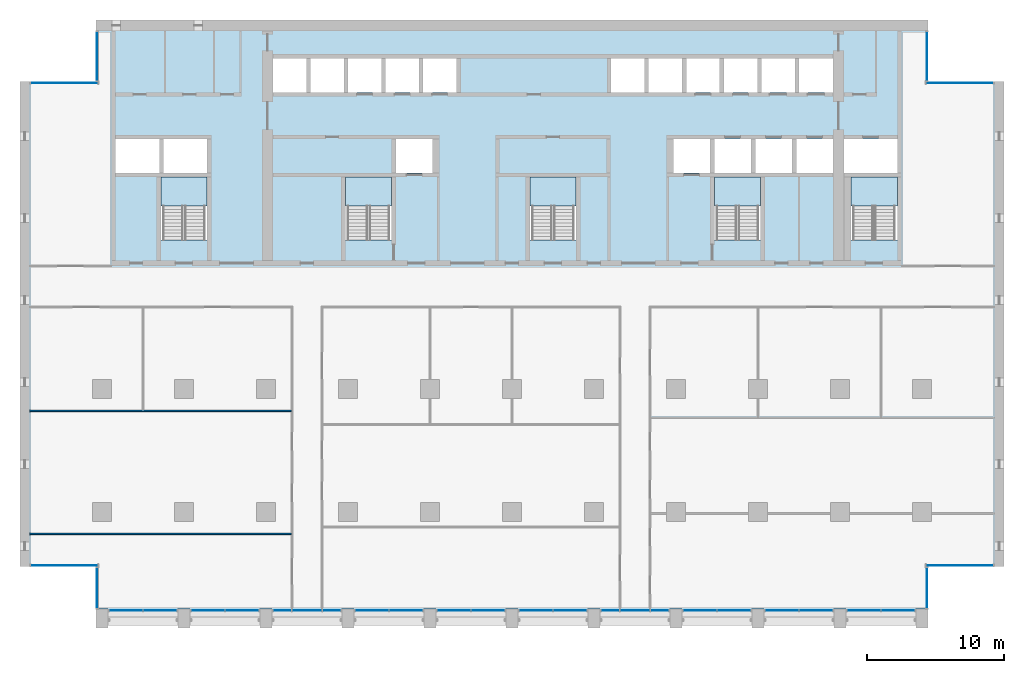
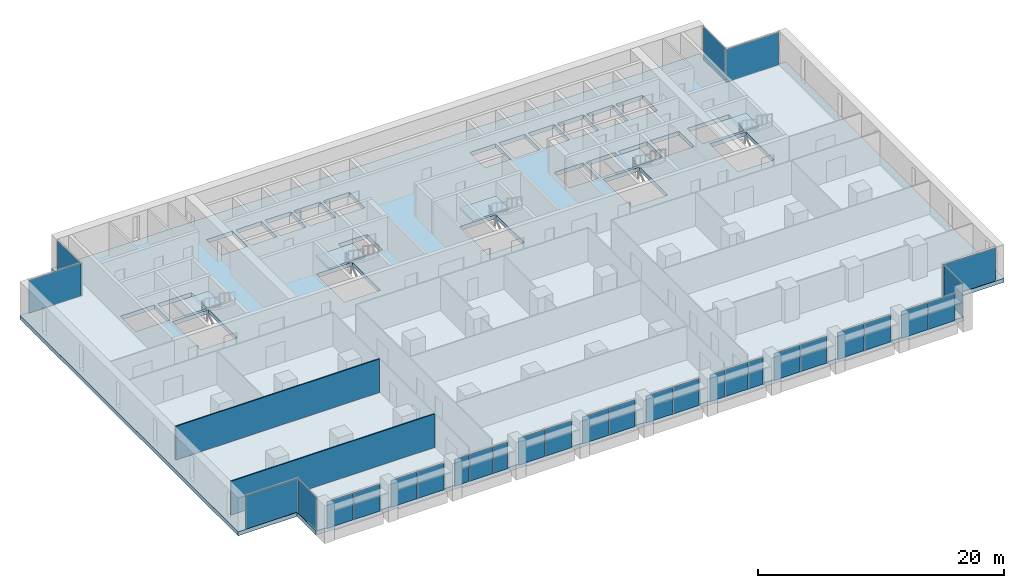
# One storey, part 7 of 17: 30 plates, 6 slabs, 2 walls, 23 elements without a shape of their own.
"""IFC4 building model written with IfcOpenShell, lengths in metres."""

import ifcopenshell
import ifcopenshell.guid

model = None  # the IFC model being written
_history = None  # IfcOwnerHistory: only IFC2X3 demands one
_inside = {}  # id of a spatial element -> (the spatial element, [elements in it])
_under = {}  # id of a project, library or spatial element -> (it, [spatial elements below it])
_declared = {}  # id of a project -> (the project, [libraries it declares])
_typed = {}  # id of a type object -> (the type object, [elements of that type])
_made_of = {}  # id of a material, layer set ... -> (it, [elements and type objects made of it])


def new_model(schema):
    """Start an empty IFC model of exactly this schema.

    Asked for "IFC4X3", IfcOpenShell would pick the latest addendum, in which some entities
    have other attributes; the version numbers below select the first issue.
    IFC2X3 requires an IfcOwnerHistory on every rooted entity: one is made here for all.
    """
    global model, _history
    if schema == "IFC4X3":
        model = ifcopenshell.file(schema_version=(4, 3, 0, 0))
    else:
        model = ifcopenshell.file(schema=schema)
    _inside.clear()
    _under.clear()
    _declared.clear()
    _typed.clear()
    _made_of.clear()
    _history = None
    if model.schema == "IFC2X3":
        org = make("IfcOrganization", Name="unknown")
        user = make(
            "IfcPersonAndOrganization",
            ThePerson=make("IfcPerson", FamilyName="unknown"),
            TheOrganization=org,
        )
        app = make(
            "IfcApplication",
            ApplicationDeveloper=org,
            Version="unknown",
            ApplicationFullName="unknown",
            ApplicationIdentifier="unknown",
        )
        _history = make(
            "IfcOwnerHistory",
            OwningUser=user,
            OwningApplication=app,
            ChangeAction="ADDED",
            CreationDate=0,
        )
    return model


def make(cls, **values):
    """One entity of the class cls with the attributes given. An attribute that is None is left unset."""
    return model.create_entity(
        cls, **{name: value for name, value in values.items() if value is not None}
    )


def rooted(cls, **values):
    """An entity with a GlobalId (a new one), such as an element, a storey or a relation."""
    return make(cls, GlobalId=ifcopenshell.guid.new(), OwnerHistory=_history, **values)


def si_unit(unit_type, name, prefix=None):
    """IfcSIUnit, for example si_unit("LENGTHUNIT", "METRE", prefix="MILLI")."""
    return make("IfcSIUnit", UnitType=unit_type, Prefix=prefix, Name=name)


def assignment(units):
    """IfcUnitAssignment: the units of a project."""
    return None if units is None else make("IfcUnitAssignment", Units=units)


def point(xyz):
    """IfcCartesianPoint."""
    return None if xyz is None else make("IfcCartesianPoint", Coordinates=xyz)


def direction(xyz):
    """IfcDirection."""
    return None if xyz is None else make("IfcDirection", DirectionRatios=xyz)


def frame(location, z_axis=None, x_axis=None):
    """IfcAxis2Placement3D, a coordinate frame: its origin and axes. An axis left out is left unset."""
    return make(
        "IfcAxis2Placement3D",
        Location=point(location),
        Axis=direction(z_axis),
        RefDirection=direction(x_axis),
    )


def frame_2d(location, x_axis=None):
    """IfcAxis2Placement2D, a coordinate frame in the plane: its origin and x axis."""
    return make(
        "IfcAxis2Placement2D", Location=point(location), RefDirection=direction(x_axis)
    )


def origin():
    """The frame at (0, 0, 0) with its axes left unset."""
    return frame((0.0, 0.0, 0.0))


def origin_2d():
    """The frame at (0, 0) in the plane with its x axis left unset."""
    return frame_2d((0.0, 0.0))


def place(relative_to, where):
    """IfcLocalPlacement: puts the frame where relative to a parent placement (None: the world)."""
    return make(
        "IfcLocalPlacement", PlacementRelTo=relative_to, RelativePlacement=where
    )


def context(
    kind, dimensions, precision=None, world=None, true_north=None, identifier=None
):
    """IfcGeometricRepresentationContext, for example the 3D "Model" context."""
    return make(
        "IfcGeometricRepresentationContext",
        ContextIdentifier=identifier,
        ContextType=kind,
        CoordinateSpaceDimension=dimensions,
        Precision=precision,
        WorldCoordinateSystem=world,
        TrueNorth=true_north,
    )


def subcontext(parent, identifier, kind, view, scale=None):
    """IfcGeometricRepresentationSubContext, for example "Body" below "Model"."""
    return make(
        "IfcGeometricRepresentationSubContext",
        ContextIdentifier=identifier,
        ContextType=kind,
        ParentContext=parent,
        TargetScale=scale,
        TargetView=view,
    )


def project(units=None, contexts=None):
    """IfcProject with its units and contexts."""
    return rooted(
        "IfcProject",
        Name="project",
        RepresentationContexts=contexts,
        UnitsInContext=assignment(units),
    )


def spatial(cls, under=None, at=None, **own):
    """A site, building, storey or space (cls), placed at a placement, below another one or the project."""
    s = rooted(cls, ObjectPlacement=at, **own)
    if under is not None:
        _under.setdefault(under.id(), (under, []))[1].append(s)
    return s


def polyline(points):
    """IfcPolyline through the points."""
    return make("IfcPolyline", Points=[point(p) for p in points])


def profile(cls, at=None, kind="AREA", **sizes):
    """A parametric profile (cls). Its sizes go by their IFC names, for example OverallWidth=200.0."""
    return make(cls, ProfileType=kind, Position=at, **sizes)


def rectangle(**sizes):
    """IfcRectangleProfileDef."""
    return profile("IfcRectangleProfileDef", **sizes)


def outline(outer, holes=None, kind="AREA"):
    """IfcArbitraryClosedProfileDef: a profile drawn as a closed curve; with holes, ...WithVoids."""
    if holes is None:
        return make("IfcArbitraryClosedProfileDef", ProfileType=kind, OuterCurve=outer)
    return make(
        "IfcArbitraryProfileDefWithVoids",
        ProfileType=kind,
        OuterCurve=outer,
        InnerCurves=holes,
    )


def extrude(swept, where, along, depth):
    """IfcExtrudedAreaSolid: the profile swept, set in the frame where, extruded along a direction by depth."""
    return make(
        "IfcExtrudedAreaSolid",
        SweptArea=swept,
        Position=where,
        ExtrudedDirection=direction(along),
        Depth=depth,
    )


def shape(context_of_items, identifier, shape_type, items):
    """IfcShapeRepresentation: the items that make up one representation, for example the "Body"."""
    return make(
        "IfcShapeRepresentation",
        ContextOfItems=context_of_items,
        RepresentationIdentifier=identifier,
        RepresentationType=shape_type,
        Items=items,
    )


def material(Name=None, Category=None):
    """IfcMaterial."""
    return make("IfcMaterial", Name=Name, Category=Category)


def layer(
    of_material, thickness, ventilated=None, Name=None, Category=None, Priority=None
):
    """IfcMaterialLayer: one layer of a wall or slab, of a material (None: an air gap)."""
    return make(
        "IfcMaterialLayer",
        Material=of_material,
        LayerThickness=thickness,
        IsVentilated=ventilated,
        Name=Name,
        Category=Category,
        Priority=Priority,
    )


def layer_set(layers, Name=None):
    """IfcMaterialLayerSet."""
    return make("IfcMaterialLayerSet", MaterialLayers=layers, LayerSetName=Name)


def made_of(thing, what):
    """Note that an element or type object is made of a material, layer set ...; save() writes the relation."""
    if what is not None:
        _made_of.setdefault(what.id(), (what, []))[1].append(thing)
    return thing


def type_object(cls, material=None, **own):
    """A type object (cls), such as IfcWallType, which elements share."""
    return made_of(rooted(cls, **own), material)


def element(
    cls,
    number,
    at=None,
    inside=None,
    cuts=None,
    type_object=None,
    material=None,
    context=None,
    identifier="Body",
    shape_type=None,
    held_by="IfcProductDefinitionShape",
    body=None,
    shapes=None,
    **own,
):
    """One element of the class cls, such as IfcWall. Its Tag is "e" and its number.

    at: its placement. inside: the storey or other place that contains it. cuts: it is an
    opening in that element (IfcRelVoidsElement). A single representation is given by context,
    identifier, shape_type and body (its items); several are given by shapes. held_by: the class
    of the entity that holds the representations. save() writes the other relations.
    """
    e = rooted(cls, Tag="e%d" % number, ObjectPlacement=at, **own)
    if body is not None:
        shapes = [shape(context, identifier, shape_type, body)]
    if shapes is not None:
        e.Representation = make(held_by, Representations=shapes)
    if inside is not None:
        _inside.setdefault(inside.id(), (inside, []))[1].append(e)
    if cuts is not None:
        rooted(
            "IfcRelVoidsElement", RelatingBuildingElement=cuts, RelatedOpeningElement=e
        )
    if type_object is not None:
        _typed.setdefault(type_object.id(), (type_object, []))[1].append(e)
    return made_of(e, material)


def aggregate(whole, parts):
    """IfcRelAggregates: a whole, such as a stair, and the parts it consists of."""
    return rooted("IfcRelAggregates", RelatingObject=whole, RelatedObjects=parts)


def save(model, path):
    """Write the relations noted so far, then the file.

    IfcRelAggregates (storeys below a building ...), IfcRelContainedInSpatialStructure (elements
    in a storey), IfcRelDefinesByType, IfcRelAssociatesMaterial and IfcRelDeclares: one each for
    every whole, place, type object, material and project.
    """
    for whole, parts in _under.values():
        aggregate(whole, parts)
    for where, things in _inside.values():
        rooted(
            "IfcRelContainedInSpatialStructure",
            RelatedElements=things,
            RelatingStructure=where,
        )
    for kind, things in _typed.values():
        rooted("IfcRelDefinesByType", RelatedObjects=things, RelatingType=kind)
    for what, things in _made_of.values():
        rooted("IfcRelAssociatesMaterial", RelatedObjects=things, RelatingMaterial=what)
    for by, libraries in _declared.values():
        rooted("IfcRelDeclares", RelatingContext=by, RelatedDefinitions=libraries)
    model.write(path)


model = new_model("IFC4")

# Units and contexts
model_context = context("Model", 3, precision=1e-05, world=origin(), true_north=direction((0.0, 1.0)))
body_context = subcontext(model_context, "Body", "Model", "MODEL_VIEW")
ifc_project = project(units=[si_unit("LENGTHUNIT", "METRE"), si_unit("AREAUNIT", "SQUARE_METRE"), si_unit("VOLUMEUNIT", "CUBIC_METRE"), si_unit("PLANEANGLEUNIT", "RADIAN"), si_unit("MASSUNIT", "GRAM", prefix="KILO")], contexts=[model_context])

# Site, building, storey
site_placement = place(None, origin())
site = spatial("IfcSite", under=ifc_project, at=site_placement, CompositionType="ELEMENT")
building_placement = place(site_placement, origin())
building = spatial("IfcBuilding", under=site, at=building_placement, Name="Calvaro Tower", CompositionType="ELEMENT")
storey_placement = place(building_placement, frame((0.0, 0.0, 102.5)))
storey = spatial("IfcBuildingStorey", under=building, at=storey_placement, Name="L25", CompositionType="ELEMENT", Elevation=102.5)

# Slab
ifc_material_1 = material(Name="Concrete C40/50", Category="concrete")
ifc_layer_1 = layer(ifc_material_1, 0.39990234375)
ifc_layer_set_1 = layer_set([ifc_layer_1], Name="Concrete C40/50")
slab_type_1 = type_object("IfcSlabType", Name="Floor slab 400 C40/50", PredefinedType="FLOOR", material=ifc_layer_set_1)
slab_1_placement = place(storey_placement, frame((0.0, 0.0, -0.39990234375)))
element("IfcSlab", 1, at=slab_1_placement, inside=storey, type_object=slab_type_1, Name="Floor slab", PredefinedType="FLOOR", context=body_context, shape_type="SweptSolid", body=[
    extrude(outline(polyline([(66.449951171875, 6.0), (66.449951171875, 2.89990234375), (5.550048828125, 2.89990234375), (5.550048828125, 6.0), (0.0, 6.0), (0.0, 41.5), (5.550048828125, 41.5), (5.550048828125, 46.0), (66.449951171875, 46.0), (66.449951171875, 41.5), (72.0, 41.5), (72.0, 6.0), (66.449951171875, 6.0)]), holes=[polyline([(10.300048828125, 29.909912109375), (10.300048828125, 34.5), (12.0, 34.5), (13.699951171875, 34.5), (13.699951171875, 29.909912109375), (12.0, 29.909912109375), (10.300048828125, 29.909912109375)]), polyline([(23.800048828125, 29.909912109375), (23.800048828125, 34.5), (25.5, 34.5), (27.199951171875, 34.5), (27.199951171875, 29.909912109375), (25.5, 29.909912109375), (23.800048828125, 29.909912109375)]), polyline([(37.300048828125, 29.909912109375), (37.300048828125, 34.5), (39.0, 34.5), (40.699951171875, 34.5), (40.699951171875, 29.909912109375), (39.0, 29.909912109375), (37.300048828125, 29.909912109375)]), polyline([(50.800048828125, 29.909912109375), (50.800048828125, 34.5), (52.5, 34.5), (54.199951171875, 34.5), (54.199951171875, 29.909912109375), (52.5, 29.909912109375), (50.800048828125, 29.909912109375)]), polyline([(60.800048828125, 29.909912109375), (60.800048828125, 34.5), (62.5, 34.5), (64.199951171875, 34.5), (64.199951171875, 29.909912109375), (62.5, 29.909912109375), (60.800048828125, 29.909912109375)]), polyline([(50.800048828125, 34.800048828125), (53.5, 34.800048828125), (53.5, 37.300048828125), (50.800048828125, 37.300048828125), (50.800048828125, 34.800048828125)]), polyline([(53.800048828125, 34.800048828125), (56.5, 34.800048828125), (56.5, 37.300048828125), (53.800048828125, 37.300048828125), (53.800048828125, 34.800048828125)]), polyline([(56.800048828125, 34.800048828125), (59.5, 34.800048828125), (59.5, 37.300048828125), (56.800048828125, 37.300048828125), (56.800048828125, 34.800048828125)]), polyline([(18.5, 40.699951171875), (20.949951171875, 40.699951171875), (20.949951171875, 43.199951171875), (18.5, 43.199951171875), (18.5, 40.699951171875)]), polyline([(21.25, 40.699951171875), (23.699951171875, 40.699951171875), (23.699951171875, 43.199951171875), (21.25, 43.199951171875), (21.25, 40.699951171875)]), polyline([(24.0, 40.699951171875), (26.449951171875, 40.699951171875), (26.449951171875, 43.199951171875), (24.0, 43.199951171875), (24.0, 40.699951171875)]), polyline([(26.75, 40.699951171875), (29.199951171875, 40.699951171875), (29.199951171875, 43.199951171875), (26.75, 43.199951171875), (26.75, 40.699951171875)]), polyline([(29.5, 40.699951171875), (31.949951171875, 40.699951171875), (31.949951171875, 43.199951171875), (29.5, 43.199951171875), (29.5, 40.699951171875)]), polyline([(43.25, 40.699951171875), (45.699951171875, 40.699951171875), (45.699951171875, 43.199951171875), (43.25, 43.199951171875), (43.25, 40.699951171875)]), polyline([(46.0, 40.699951171875), (48.449951171875, 40.699951171875), (48.449951171875, 43.199951171875), (46.0, 43.199951171875), (46.0, 40.699951171875)]), polyline([(48.75, 40.699951171875), (51.199951171875, 40.699951171875), (51.199951171875, 43.199951171875), (48.75, 43.199951171875), (48.75, 40.699951171875)]), polyline([(51.5, 40.699951171875), (53.949951171875, 40.699951171875), (53.949951171875, 43.199951171875), (51.5, 43.199951171875), (51.5, 40.699951171875)]), polyline([(54.25, 40.699951171875), (56.699951171875, 40.699951171875), (56.699951171875, 43.199951171875), (54.25, 43.199951171875), (54.25, 40.699951171875)]), polyline([(57.0, 40.699951171875), (59.5, 40.699951171875), (59.5, 43.199951171875), (57.0, 43.199951171875), (57.0, 40.699951171875)]), polyline([(7.0, 34.800048828125), (10.199951171875, 34.800048828125), (10.199951171875, 37.300048828125), (7.0, 37.300048828125), (7.0, 34.800048828125)]), polyline([(10.5, 34.800048828125), (13.699951171875, 34.800048828125), (13.699951171875, 37.300048828125), (10.5, 37.300048828125), (10.5, 34.800048828125)]), polyline([(60.300048828125, 34.800048828125), (64.199951171875, 34.800048828125), (64.199951171875, 37.300048828125), (60.300048828125, 37.300048828125), (60.300048828125, 34.800048828125)]), polyline([(27.5, 34.800048828125), (30.199951171875, 34.800048828125), (30.199951171875, 37.300048828125), (27.5, 37.300048828125), (27.5, 34.800048828125)]), polyline([(47.800048828125, 34.800048828125), (50.5, 34.800048828125), (50.5, 37.300048828125), (47.800048828125, 37.300048828125), (47.800048828125, 34.800048828125)])]), origin(), (0.0, 0.0, 1.0), 0.39990234375),
])

# Curtain wall, plates
ifc_material_2 = material(Name="Anodised aluminium", Category="aluminium")
curtain_wall_type = type_object("IfcCurtainWallType", Name="Office curtain wall, middle zone", PredefinedType="NOTDEFINED", material=ifc_material_2)
curtain_wall_1_placement = place(storey_placement, origin())
curtain_wall_1 = element("IfcCurtainWall", 2, at=curtain_wall_1_placement, inside=storey, type_object=curtain_wall_type, Name="CW2 south curtain wall", PredefinedType="NOTDEFINED")
ifc_material_3 = material(Name="Glass", Category="glass")
ifc_layer_2 = layer(ifc_material_3, 0.031982421875)
ifc_layer_set_2 = layer_set([ifc_layer_2], Name="Glass")
plate_type = type_object("IfcPlateType", Name="Glass panel S2 32", PredefinedType="CURTAIN_PANEL", material=ifc_layer_set_2)
plate_1_placement = place(storey_placement, frame((7.742431640625, 2.800048828125, 0.0), z_axis=(0.0, 0.0, 1.0), x_axis=(1.0, 0.0, 0.0)))
plate_1 = element("IfcPlate", 3, at=plate_1_placement, type_object=plate_type, Name="CW2 glass panel 1.1", PredefinedType="CURTAIN_PANEL", context=body_context, shape_type="SweptSolid", body=[
    extrude(rectangle(XDim=2.445068359375, YDim=0.031982421875, at=origin_2d()), origin(), (0.0, 0.0, 1.0), 2.64990234375),
])
plate_2_placement = place(storey_placement, frame((10.257568359375, 2.800048828125, 0.0), z_axis=(0.0, 0.0, 1.0), x_axis=(1.0, 0.0, 0.0)))
plate_2 = element("IfcPlate", 4, at=plate_2_placement, type_object=plate_type, Name="CW2 glass panel 2.1", PredefinedType="CURTAIN_PANEL", context=body_context, shape_type="SweptSolid", body=[
    extrude(rectangle(XDim=2.445068359375, YDim=0.031982421875, at=origin_2d()), origin(), (0.0, 0.0, 1.0), 2.64990234375),
])
aggregate(curtain_wall_1, [plate_1, plate_2])

curtain_wall_2_placement = place(storey_placement, origin())
curtain_wall_2 = element("IfcCurtainWall", 5, at=curtain_wall_2_placement, inside=storey, type_object=curtain_wall_type, Name="CW2 south curtain wall", PredefinedType="NOTDEFINED")
plate_3_placement = place(storey_placement, frame((13.742431640625, 2.800048828125, 0.0), z_axis=(0.0, 0.0, 1.0), x_axis=(1.0, 0.0, 0.0)))
plate_3 = element("IfcPlate", 6, at=plate_3_placement, type_object=plate_type, Name="CW2 glass panel 1.1", PredefinedType="CURTAIN_PANEL", context=body_context, shape_type="SweptSolid", body=[
    extrude(rectangle(XDim=2.445068359375, YDim=0.031982421875, at=origin_2d()), origin(), (0.0, 0.0, 1.0), 2.64990234375),
])
plate_4_placement = place(storey_placement, frame((16.257568359375, 2.800048828125, 0.0), z_axis=(0.0, 0.0, 1.0), x_axis=(1.0, 0.0, 0.0)))
plate_4 = element("IfcPlate", 7, at=plate_4_placement, type_object=plate_type, Name="CW2 glass panel 2.1", PredefinedType="CURTAIN_PANEL", context=body_context, shape_type="SweptSolid", body=[
    extrude(rectangle(XDim=2.445068359375, YDim=0.031982421875, at=origin_2d()), origin(), (0.0, 0.0, 1.0), 2.64990234375),
])
aggregate(curtain_wall_2, [plate_3, plate_4])

curtain_wall_3_placement = place(storey_placement, origin())
curtain_wall_3 = element("IfcCurtainWall", 8, at=curtain_wall_3_placement, inside=storey, type_object=curtain_wall_type, Name="CW2 south curtain wall", PredefinedType="NOTDEFINED")
plate_5_placement = place(storey_placement, frame((19.1923828125, 2.800048828125, 0.0), z_axis=(0.0, 0.0, 1.0), x_axis=(1.0, 0.0, 0.0)))
plate_5 = element("IfcPlate", 9, at=plate_5_placement, type_object=plate_type, Name="CW2 glass panel 1.1", PredefinedType="CURTAIN_PANEL", context=body_context, shape_type="SweptSolid", body=[
    extrude(rectangle(XDim=1.344970703125, YDim=0.031982421875, at=origin_2d()), origin(), (0.0, 0.0, 1.0), 2.64990234375),
])
plate_6_placement = place(storey_placement, frame((21.0, 2.800048828125, 0.0), z_axis=(0.0, 0.0, 1.0), x_axis=(1.0, 0.0, 0.0)))
plate_6 = element("IfcPlate", 10, at=plate_6_placement, type_object=plate_type, Name="CW2 glass panel 2.1", PredefinedType="CURTAIN_PANEL", context=body_context, shape_type="SweptSolid", body=[
    extrude(rectangle(XDim=2.1298828125, YDim=0.031982421875, at=origin_2d()), origin(), (0.0, 0.0, 1.0), 2.64990234375),
])
plate_7_placement = place(storey_placement, frame((22.8076171875, 2.800048828125, 0.0), z_axis=(0.0, 0.0, 1.0), x_axis=(1.0, 0.0, 0.0)))
plate_7 = element("IfcPlate", 11, at=plate_7_placement, type_object=plate_type, Name="CW2 glass panel 3.1", PredefinedType="CURTAIN_PANEL", context=body_context, shape_type="SweptSolid", body=[
    extrude(rectangle(XDim=1.344970703125, YDim=0.031982421875, at=origin_2d()), origin(), (0.0, 0.0, 1.0), 2.64990234375),
])
aggregate(curtain_wall_3, [plate_5, plate_6, plate_7])

curtain_wall_4_placement = place(storey_placement, origin())
curtain_wall_4 = element("IfcCurtainWall", 12, at=curtain_wall_4_placement, inside=storey, type_object=curtain_wall_type, Name="CW2 south curtain wall", PredefinedType="NOTDEFINED")
plate_8_placement = place(storey_placement, frame((25.742431640625, 2.800048828125, 0.0), z_axis=(0.0, 0.0, 1.0), x_axis=(1.0, 0.0, 0.0)))
plate_8 = element("IfcPlate", 13, at=plate_8_placement, type_object=plate_type, Name="CW2 glass panel 1.1", PredefinedType="CURTAIN_PANEL", context=body_context, shape_type="SweptSolid", body=[
    extrude(rectangle(XDim=2.445068359375, YDim=0.031982421875, at=origin_2d()), origin(), (0.0, 0.0, 1.0), 2.64990234375),
])
plate_9_placement = place(storey_placement, frame((28.257568359375, 2.800048828125, 0.0), z_axis=(0.0, 0.0, 1.0), x_axis=(1.0, 0.0, 0.0)))
plate_9 = element("IfcPlate", 14, at=plate_9_placement, type_object=plate_type, Name="CW2 glass panel 2.1", PredefinedType="CURTAIN_PANEL", context=body_context, shape_type="SweptSolid", body=[
    extrude(rectangle(XDim=2.445068359375, YDim=0.031982421875, at=origin_2d()), origin(), (0.0, 0.0, 1.0), 2.64990234375),
])
aggregate(curtain_wall_4, [plate_8, plate_9])

curtain_wall_5_placement = place(storey_placement, origin())
curtain_wall_5 = element("IfcCurtainWall", 15, at=curtain_wall_5_placement, inside=storey, type_object=curtain_wall_type, Name="CW2 south curtain wall", PredefinedType="NOTDEFINED")
plate_10_placement = place(storey_placement, frame((31.742431640625, 2.800048828125, 0.0), z_axis=(0.0, 0.0, 1.0), x_axis=(1.0, 0.0, 0.0)))
plate_10 = element("IfcPlate", 16, at=plate_10_placement, type_object=plate_type, Name="CW2 glass panel 1.1", PredefinedType="CURTAIN_PANEL", context=body_context, shape_type="SweptSolid", body=[
    extrude(rectangle(XDim=2.445068359375, YDim=0.031982421875, at=origin_2d()), origin(), (0.0, 0.0, 1.0), 2.64990234375),
])
plate_11_placement = place(storey_placement, frame((34.257568359375, 2.800048828125, 0.0), z_axis=(0.0, 0.0, 1.0), x_axis=(1.0, 0.0, 0.0)))
plate_11 = element("IfcPlate", 17, at=plate_11_placement, type_object=plate_type, Name="CW2 glass panel 2.1", PredefinedType="CURTAIN_PANEL", context=body_context, shape_type="SweptSolid", body=[
    extrude(rectangle(XDim=2.445068359375, YDim=0.031982421875, at=origin_2d()), origin(), (0.0, 0.0, 1.0), 2.64990234375),
])
aggregate(curtain_wall_5, [plate_10, plate_11])

curtain_wall_6_placement = place(storey_placement, origin())
curtain_wall_6 = element("IfcCurtainWall", 18, at=curtain_wall_6_placement, inside=storey, type_object=curtain_wall_type, Name="CW2 south curtain wall", PredefinedType="NOTDEFINED")
plate_12_placement = place(storey_placement, frame((37.742431640625, 2.800048828125, 0.0), z_axis=(0.0, 0.0, 1.0), x_axis=(1.0, 0.0, 0.0)))
plate_12 = element("IfcPlate", 19, at=plate_12_placement, type_object=plate_type, Name="CW2 glass panel 1.1", PredefinedType="CURTAIN_PANEL", context=body_context, shape_type="SweptSolid", body=[
    extrude(rectangle(XDim=2.445068359375, YDim=0.031982421875, at=origin_2d()), origin(), (0.0, 0.0, 1.0), 2.64990234375),
])
plate_13_placement = place(storey_placement, frame((40.257568359375, 2.800048828125, 0.0), z_axis=(0.0, 0.0, 1.0), x_axis=(1.0, 0.0, 0.0)))
plate_13 = element("IfcPlate", 20, at=plate_13_placement, type_object=plate_type, Name="CW2 glass panel 2.1", PredefinedType="CURTAIN_PANEL", context=body_context, shape_type="SweptSolid", body=[
    extrude(rectangle(XDim=2.445068359375, YDim=0.031982421875, at=origin_2d()), origin(), (0.0, 0.0, 1.0), 2.64990234375),
])
aggregate(curtain_wall_6, [plate_12, plate_13])

curtain_wall_7_placement = place(storey_placement, origin())
curtain_wall_7 = element("IfcCurtainWall", 21, at=curtain_wall_7_placement, inside=storey, type_object=curtain_wall_type, Name="CW2 south curtain wall", PredefinedType="NOTDEFINED")
plate_14_placement = place(storey_placement, frame((43.1923828125, 2.800048828125, 0.0), z_axis=(0.0, 0.0, 1.0), x_axis=(1.0, 0.0, 0.0)))
plate_14 = element("IfcPlate", 22, at=plate_14_placement, type_object=plate_type, Name="CW2 glass panel 1.1", PredefinedType="CURTAIN_PANEL", context=body_context, shape_type="SweptSolid", body=[
    extrude(rectangle(XDim=1.344970703125, YDim=0.031982421875, at=origin_2d()), origin(), (0.0, 0.0, 1.0), 2.64990234375),
])
plate_15_placement = place(storey_placement, frame((45.0, 2.800048828125, 0.0), z_axis=(0.0, 0.0, 1.0), x_axis=(1.0, 0.0, 0.0)))
plate_15 = element("IfcPlate", 23, at=plate_15_placement, type_object=plate_type, Name="CW2 glass panel 2.1", PredefinedType="CURTAIN_PANEL", context=body_context, shape_type="SweptSolid", body=[
    extrude(rectangle(XDim=2.1298828125, YDim=0.031982421875, at=origin_2d()), origin(), (0.0, 0.0, 1.0), 2.64990234375),
])
plate_16_placement = place(storey_placement, frame((46.8076171875, 2.800048828125, 0.0), z_axis=(0.0, 0.0, 1.0), x_axis=(1.0, 0.0, 0.0)))
plate_16 = element("IfcPlate", 24, at=plate_16_placement, type_object=plate_type, Name="CW2 glass panel 3.1", PredefinedType="CURTAIN_PANEL", context=body_context, shape_type="SweptSolid", body=[
    extrude(rectangle(XDim=1.344970703125, YDim=0.031982421875, at=origin_2d()), origin(), (0.0, 0.0, 1.0), 2.64990234375),
])
aggregate(curtain_wall_7, [plate_14, plate_15, plate_16])

curtain_wall_8_placement = place(storey_placement, origin())
curtain_wall_8 = element("IfcCurtainWall", 25, at=curtain_wall_8_placement, inside=storey, type_object=curtain_wall_type, Name="CW2 south curtain wall", PredefinedType="NOTDEFINED")
plate_17_placement = place(storey_placement, frame((49.742431640625, 2.800048828125, 0.0), z_axis=(0.0, 0.0, 1.0), x_axis=(1.0, 0.0, 0.0)))
plate_17 = element("IfcPlate", 26, at=plate_17_placement, type_object=plate_type, Name="CW2 glass panel 1.1", PredefinedType="CURTAIN_PANEL", context=body_context, shape_type="SweptSolid", body=[
    extrude(rectangle(XDim=2.445068359375, YDim=0.031982421875, at=origin_2d()), origin(), (0.0, 0.0, 1.0), 2.64990234375),
])
plate_18_placement = place(storey_placement, frame((52.257568359375, 2.800048828125, 0.0), z_axis=(0.0, 0.0, 1.0), x_axis=(1.0, 0.0, 0.0)))
plate_18 = element("IfcPlate", 27, at=plate_18_placement, type_object=plate_type, Name="CW2 glass panel 2.1", PredefinedType="CURTAIN_PANEL", context=body_context, shape_type="SweptSolid", body=[
    extrude(rectangle(XDim=2.445068359375, YDim=0.031982421875, at=origin_2d()), origin(), (0.0, 0.0, 1.0), 2.64990234375),
])
aggregate(curtain_wall_8, [plate_17, plate_18])

curtain_wall_9_placement = place(storey_placement, origin())
curtain_wall_9 = element("IfcCurtainWall", 28, at=curtain_wall_9_placement, inside=storey, type_object=curtain_wall_type, Name="CW2 south curtain wall", PredefinedType="NOTDEFINED")
plate_19_placement = place(storey_placement, frame((55.742431640625, 2.800048828125, 0.0), z_axis=(0.0, 0.0, 1.0), x_axis=(1.0, 0.0, 0.0)))
plate_19 = element("IfcPlate", 29, at=plate_19_placement, type_object=plate_type, Name="CW2 glass panel 1.1", PredefinedType="CURTAIN_PANEL", context=body_context, shape_type="SweptSolid", body=[
    extrude(rectangle(XDim=2.445068359375, YDim=0.031982421875, at=origin_2d()), origin(), (0.0, 0.0, 1.0), 2.64990234375),
])
plate_20_placement = place(storey_placement, frame((58.257568359375, 2.800048828125, 0.0), z_axis=(0.0, 0.0, 1.0), x_axis=(1.0, 0.0, 0.0)))
plate_20 = element("IfcPlate", 30, at=plate_20_placement, type_object=plate_type, Name="CW2 glass panel 2.1", PredefinedType="CURTAIN_PANEL", context=body_context, shape_type="SweptSolid", body=[
    extrude(rectangle(XDim=2.445068359375, YDim=0.031982421875, at=origin_2d()), origin(), (0.0, 0.0, 1.0), 2.64990234375),
])
aggregate(curtain_wall_9, [plate_19, plate_20])

curtain_wall_10_placement = place(storey_placement, origin())
curtain_wall_10 = element("IfcCurtainWall", 31, at=curtain_wall_10_placement, inside=storey, type_object=curtain_wall_type, Name="CW2 south curtain wall", PredefinedType="NOTDEFINED")
plate_21_placement = place(storey_placement, frame((61.742431640625, 2.800048828125, 0.0), z_axis=(0.0, 0.0, 1.0), x_axis=(1.0, 0.0, 0.0)))
plate_21 = element("IfcPlate", 32, at=plate_21_placement, type_object=plate_type, Name="CW2 glass panel 1.1", PredefinedType="CURTAIN_PANEL", context=body_context, shape_type="SweptSolid", body=[
    extrude(rectangle(XDim=2.445068359375, YDim=0.031982421875, at=origin_2d()), origin(), (0.0, 0.0, 1.0), 2.64990234375),
])
plate_22_placement = place(storey_placement, frame((64.257568359375, 2.800048828125, 0.0), z_axis=(0.0, 0.0, 1.0), x_axis=(1.0, 0.0, 0.0)))
plate_22 = element("IfcPlate", 33, at=plate_22_placement, type_object=plate_type, Name="CW2 glass panel 2.1", PredefinedType="CURTAIN_PANEL", context=body_context, shape_type="SweptSolid", body=[
    extrude(rectangle(XDim=2.445068359375, YDim=0.031982421875, at=origin_2d()), origin(), (0.0, 0.0, 1.0), 2.64990234375),
])
aggregate(curtain_wall_10, [plate_21, plate_22])

# Curtain wall, plate
curtain_wall_11_placement = place(storey_placement, origin())
curtain_wall_11 = element("IfcCurtainWall", 34, at=curtain_wall_11_placement, inside=storey, type_object=curtain_wall_type, Name="CW2 corner curtain wall", PredefinedType="NOTDEFINED")
plate_23_placement = place(storey_placement, frame((5.64990234375, 4.449951171875, 0.0), z_axis=(0.0, 0.0, 1.0), x_axis=(0.0, 1.0, 0.0)))
plate_23 = element("IfcPlate", 35, at=plate_23_placement, type_object=plate_type, Name="CW2 glass panel 1.1", PredefinedType="CURTAIN_PANEL", context=body_context, shape_type="SweptSolid", body=[
    extrude(rectangle(XDim=2.9599609375, YDim=0.031982421875, at=origin_2d()), origin(), (0.0, 0.0, 1.0), 3.25),
])
aggregate(curtain_wall_11, [plate_23])

curtain_wall_12_placement = place(storey_placement, origin())
curtain_wall_12 = element("IfcCurtainWall", 36, at=curtain_wall_12_placement, inside=storey, type_object=curtain_wall_type, Name="CW2 corner curtain wall", PredefinedType="NOTDEFINED")
plate_24_placement = place(storey_placement, frame((3.22509765625, 6.10009765625, 0.0), z_axis=(0.0, 0.0, 1.0), x_axis=(1.0, 0.0, 0.0)))
plate_24 = element("IfcPlate", 37, at=plate_24_placement, type_object=plate_type, Name="CW2 glass panel 1.1", PredefinedType="CURTAIN_PANEL", context=body_context, shape_type="SweptSolid", body=[
    extrude(rectangle(XDim=4.909912109375, YDim=0.031982421875, at=origin_2d()), origin(), (0.0, 0.0, 1.0), 3.25),
])
aggregate(curtain_wall_12, [plate_24])

curtain_wall_13_placement = place(storey_placement, origin())
curtain_wall_13 = element("IfcCurtainWall", 38, at=curtain_wall_13_placement, inside=storey, type_object=curtain_wall_type, Name="CW2 corner curtain wall", PredefinedType="NOTDEFINED")
plate_25_placement = place(storey_placement, frame((5.64990234375, 43.35009765625, 0.0), z_axis=(0.0, 0.0, 1.0), x_axis=(0.0, 1.0, 0.0)))
plate_25 = element("IfcPlate", 39, at=plate_25_placement, type_object=plate_type, Name="CW2 glass panel 1.1", PredefinedType="CURTAIN_PANEL", context=body_context, shape_type="SweptSolid", body=[
    extrude(rectangle(XDim=3.56005859375, YDim=0.031982421875, at=origin_2d()), origin(), (0.0, 0.0, 1.0), 3.25),
])
aggregate(curtain_wall_13, [plate_25])

curtain_wall_14_placement = place(storey_placement, origin())
curtain_wall_14 = element("IfcCurtainWall", 40, at=curtain_wall_14_placement, inside=storey, type_object=curtain_wall_type, Name="CW2 corner curtain wall", PredefinedType="NOTDEFINED")
plate_26_placement = place(storey_placement, frame((3.22509765625, 41.39990234375, 0.0), z_axis=(0.0, 0.0, 1.0), x_axis=(1.0, 0.0, 0.0)))
plate_26 = element("IfcPlate", 41, at=plate_26_placement, type_object=plate_type, Name="CW2 glass panel 1.1", PredefinedType="CURTAIN_PANEL", context=body_context, shape_type="SweptSolid", body=[
    extrude(rectangle(XDim=4.909912109375, YDim=0.031982421875, at=origin_2d()), origin(), (0.0, 0.0, 1.0), 3.25),
])
aggregate(curtain_wall_14, [plate_26])

curtain_wall_15_placement = place(storey_placement, origin())
curtain_wall_15 = element("IfcCurtainWall", 42, at=curtain_wall_15_placement, inside=storey, type_object=curtain_wall_type, Name="CW2 corner curtain wall", PredefinedType="NOTDEFINED")
plate_27_placement = place(storey_placement, frame((66.35009765625, 4.449951171875, 0.0), z_axis=(0.0, 0.0, 1.0), x_axis=(0.0, 1.0, 0.0)))
plate_27 = element("IfcPlate", 43, at=plate_27_placement, type_object=plate_type, Name="CW2 glass panel 1.1", PredefinedType="CURTAIN_PANEL", context=body_context, shape_type="SweptSolid", body=[
    extrude(rectangle(XDim=2.9599609375, YDim=0.031982421875, at=origin_2d()), origin(), (0.0, 0.0, 1.0), 3.25),
])
aggregate(curtain_wall_15, [plate_27])

curtain_wall_16_placement = place(storey_placement, origin())
curtain_wall_16 = element("IfcCurtainWall", 44, at=curtain_wall_16_placement, inside=storey, type_object=curtain_wall_type, Name="CW2 corner curtain wall", PredefinedType="NOTDEFINED")
plate_28_placement = place(storey_placement, frame((68.77490234375, 6.10009765625, 0.0), z_axis=(0.0, 0.0, 1.0), x_axis=(1.0, 0.0, 0.0)))
plate_28 = element("IfcPlate", 45, at=plate_28_placement, type_object=plate_type, Name="CW2 glass panel 1.1", PredefinedType="CURTAIN_PANEL", context=body_context, shape_type="SweptSolid", body=[
    extrude(rectangle(XDim=4.909912109375, YDim=0.031982421875, at=origin_2d()), origin(), (0.0, 0.0, 1.0), 3.25),
])
aggregate(curtain_wall_16, [plate_28])

curtain_wall_17_placement = place(storey_placement, origin())
curtain_wall_17 = element("IfcCurtainWall", 46, at=curtain_wall_17_placement, inside=storey, type_object=curtain_wall_type, Name="CW2 corner curtain wall", PredefinedType="NOTDEFINED")
plate_29_placement = place(storey_placement, frame((66.35009765625, 43.35009765625, 0.0), z_axis=(0.0, 0.0, 1.0), x_axis=(0.0, 1.0, 0.0)))
plate_29 = element("IfcPlate", 47, at=plate_29_placement, type_object=plate_type, Name="CW2 glass panel 1.1", PredefinedType="CURTAIN_PANEL", context=body_context, shape_type="SweptSolid", body=[
    extrude(rectangle(XDim=3.56005859375, YDim=0.031982421875, at=origin_2d()), origin(), (0.0, 0.0, 1.0), 3.25),
])
aggregate(curtain_wall_17, [plate_29])

curtain_wall_18_placement = place(storey_placement, origin())
curtain_wall_18 = element("IfcCurtainWall", 48, at=curtain_wall_18_placement, inside=storey, type_object=curtain_wall_type, Name="CW2 corner curtain wall", PredefinedType="NOTDEFINED")
plate_30_placement = place(storey_placement, frame((68.77490234375, 41.39990234375, 0.0), z_axis=(0.0, 0.0, 1.0), x_axis=(1.0, 0.0, 0.0)))
plate_30 = element("IfcPlate", 49, at=plate_30_placement, type_object=plate_type, Name="CW2 glass panel 1.1", PredefinedType="CURTAIN_PANEL", context=body_context, shape_type="SweptSolid", body=[
    extrude(rectangle(XDim=4.909912109375, YDim=0.031982421875, at=origin_2d()), origin(), (0.0, 0.0, 1.0), 3.25),
])
aggregate(curtain_wall_18, [plate_30])

# Stair, slab
ifc_material_4 = material(Name="Concrete C40/50", Category="concrete")
stair_type = type_object("IfcStairType", Name="Exit stair 1400 2 flights", PredefinedType="HALF_TURN_STAIR", material=ifc_material_4)
stair_1_placement = place(storey_placement, origin())
stair_1 = element("IfcStair", 50, at=stair_1_placement, inside=storey, type_object=stair_type, Name="Exit stair S1", PredefinedType="HALF_TURN_STAIR")
ifc_material_5 = material(Name="Concrete C40/50", Category="concrete")
ifc_layer_3 = layer(ifc_material_5, 0.199951171875)
ifc_layer_set_3 = layer_set([ifc_layer_3], Name="Concrete C40/50")
slab_type_2 = type_object("IfcSlabType", Name="Stair landing", PredefinedType="LANDING", material=ifc_layer_set_3)
slab_2_placement = place(storey_placement, frame((0.0, 0.0, 1.675048828125)))
slab_2 = element("IfcSlab", 51, at=slab_2_placement, type_object=slab_type_2, Name="Exit stair 1, landing 1", PredefinedType="LANDING", context=body_context, shape_type="SweptSolid", body=[
    extrude(outline(polyline([(11.89990234375, 32.389892578125), (10.5, 32.389892578125), (10.5, 32.39990234375), (10.300048828125, 32.39990234375), (10.300048828125, 34.5), (10.5, 34.5), (11.89990234375, 34.5), (12.10009765625, 34.5), (13.5, 34.5), (13.699951171875, 34.5), (13.699951171875, 32.39990234375), (13.5, 32.39990234375), (13.5, 32.389892578125), (12.10009765625, 32.389892578125), (12.10009765625, 32.39990234375), (11.89990234375, 32.39990234375), (11.89990234375, 32.389892578125)])), origin(), (0.0, 0.0, 1.0), 0.199951171875),
])
aggregate(stair_1, [slab_2])

stair_2_placement = place(storey_placement, origin())
stair_2 = element("IfcStair", 52, at=stair_2_placement, inside=storey, type_object=stair_type, Name="Exit stair S2", PredefinedType="HALF_TURN_STAIR")
slab_3_placement = place(storey_placement, frame((0.0, 0.0, 1.675048828125)))
slab_3 = element("IfcSlab", 53, at=slab_3_placement, type_object=slab_type_2, Name="Exit stair 2, landing 1", PredefinedType="LANDING", context=body_context, shape_type="SweptSolid", body=[
    extrude(outline(polyline([(25.39990234375, 32.389892578125), (24.0, 32.389892578125), (24.0, 32.39990234375), (23.800048828125, 32.39990234375), (23.800048828125, 34.5), (24.0, 34.5), (25.39990234375, 34.5), (25.60009765625, 34.5), (27.0, 34.5), (27.199951171875, 34.5), (27.199951171875, 32.39990234375), (27.0, 32.39990234375), (27.0, 32.389892578125), (25.60009765625, 32.389892578125), (25.60009765625, 32.39990234375), (25.39990234375, 32.39990234375), (25.39990234375, 32.389892578125)])), origin(), (0.0, 0.0, 1.0), 0.199951171875),
])
aggregate(stair_2, [slab_3])

stair_3_placement = place(storey_placement, origin())
stair_3 = element("IfcStair", 54, at=stair_3_placement, inside=storey, type_object=stair_type, Name="Exit stair S3", PredefinedType="HALF_TURN_STAIR")
slab_4_placement = place(storey_placement, frame((0.0, 0.0, 1.675048828125)))
slab_4 = element("IfcSlab", 55, at=slab_4_placement, type_object=slab_type_2, Name="Exit stair 3, landing 1", PredefinedType="LANDING", context=body_context, shape_type="SweptSolid", body=[
    extrude(outline(polyline([(38.89990234375, 32.389892578125), (37.5, 32.389892578125), (37.5, 32.39990234375), (37.300048828125, 32.39990234375), (37.300048828125, 34.5), (37.5, 34.5), (38.89990234375, 34.5), (39.10009765625, 34.5), (40.5, 34.5), (40.699951171875, 34.5), (40.699951171875, 32.39990234375), (40.5, 32.39990234375), (40.5, 32.389892578125), (39.10009765625, 32.389892578125), (39.10009765625, 32.39990234375), (38.89990234375, 32.39990234375), (38.89990234375, 32.389892578125)])), origin(), (0.0, 0.0, 1.0), 0.199951171875),
])
aggregate(stair_3, [slab_4])

stair_4_placement = place(storey_placement, origin())
stair_4 = element("IfcStair", 56, at=stair_4_placement, inside=storey, type_object=stair_type, Name="Exit stair S4", PredefinedType="HALF_TURN_STAIR")
slab_5_placement = place(storey_placement, frame((0.0, 0.0, 1.675048828125)))
slab_5 = element("IfcSlab", 57, at=slab_5_placement, type_object=slab_type_2, Name="Exit stair 4, landing 1", PredefinedType="LANDING", context=body_context, shape_type="SweptSolid", body=[
    extrude(outline(polyline([(52.39990234375, 32.389892578125), (51.0, 32.389892578125), (51.0, 32.39990234375), (50.800048828125, 32.39990234375), (50.800048828125, 34.5), (51.0, 34.5), (52.39990234375, 34.5), (52.60009765625, 34.5), (54.0, 34.5), (54.199951171875, 34.5), (54.199951171875, 32.39990234375), (54.0, 32.39990234375), (54.0, 32.389892578125), (52.60009765625, 32.389892578125), (52.60009765625, 32.39990234375), (52.39990234375, 32.39990234375), (52.39990234375, 32.389892578125)])), origin(), (0.0, 0.0, 1.0), 0.199951171875),
])
aggregate(stair_4, [slab_5])

stair_5_placement = place(storey_placement, origin())
stair_5 = element("IfcStair", 58, at=stair_5_placement, inside=storey, type_object=stair_type, Name="Exit stair S5", PredefinedType="HALF_TURN_STAIR")
slab_6_placement = place(storey_placement, frame((0.0, 0.0, 1.675048828125)))
slab_6 = element("IfcSlab", 59, at=slab_6_placement, type_object=slab_type_2, Name="Exit stair 5, landing 1", PredefinedType="LANDING", context=body_context, shape_type="SweptSolid", body=[
    extrude(outline(polyline([(62.39990234375, 32.389892578125), (61.0, 32.389892578125), (61.0, 32.39990234375), (60.800048828125, 32.39990234375), (60.800048828125, 34.5), (61.0, 34.5), (62.39990234375, 34.5), (62.60009765625, 34.5), (64.0, 34.5), (64.199951171875, 34.5), (64.199951171875, 32.39990234375), (64.0, 32.39990234375), (64.0, 32.389892578125), (62.60009765625, 32.389892578125), (62.60009765625, 32.39990234375), (62.39990234375, 32.39990234375), (62.39990234375, 32.389892578125)])), origin(), (0.0, 0.0, 1.0), 0.199951171875),
])
aggregate(stair_5, [slab_6])

# Walls
ifc_material_6 = material(Name="Plasterboard on steel studs", Category="steel")
ifc_layer_4 = layer(ifc_material_6, 0.10009765625)
ifc_layer_set_4 = layer_set([ifc_layer_4], Name="Plasterboard on steel studs")
wall_type = type_object("IfcWallType", Name="Partition 100", PredefinedType="PARTITIONING", material=ifc_layer_set_4)
for number, where, z_axis, x_axis, name in (
    (60, (0.699951171875, 8.39990234375, 0.0), (0.0, 0.0, 1.0), (1.0, 0.0, 0.0), "Partition T16.W001"),
    (61, (0.699951171875, 17.39990234375, 0.0), (0.0, 0.0, 1.0), (1.0, 0.0, 0.0), "Partition T16.W010"),
):
    element("IfcWall", number, at=place(storey_placement, frame(where, z_axis=z_axis, x_axis=x_axis)), inside=storey, type_object=wall_type, Name=name, PredefinedType="PARTITIONING", context=body_context, shape_type="SweptSolid", body=[
        extrude(rectangle(XDim=19.150146484375, YDim=0.10009765625, at=frame_2d((9.5751953125, 0.0))), origin(), (0.0, 0.0, 1.0), 3.35009765625),
    ])

save(model, "model.ifc")
